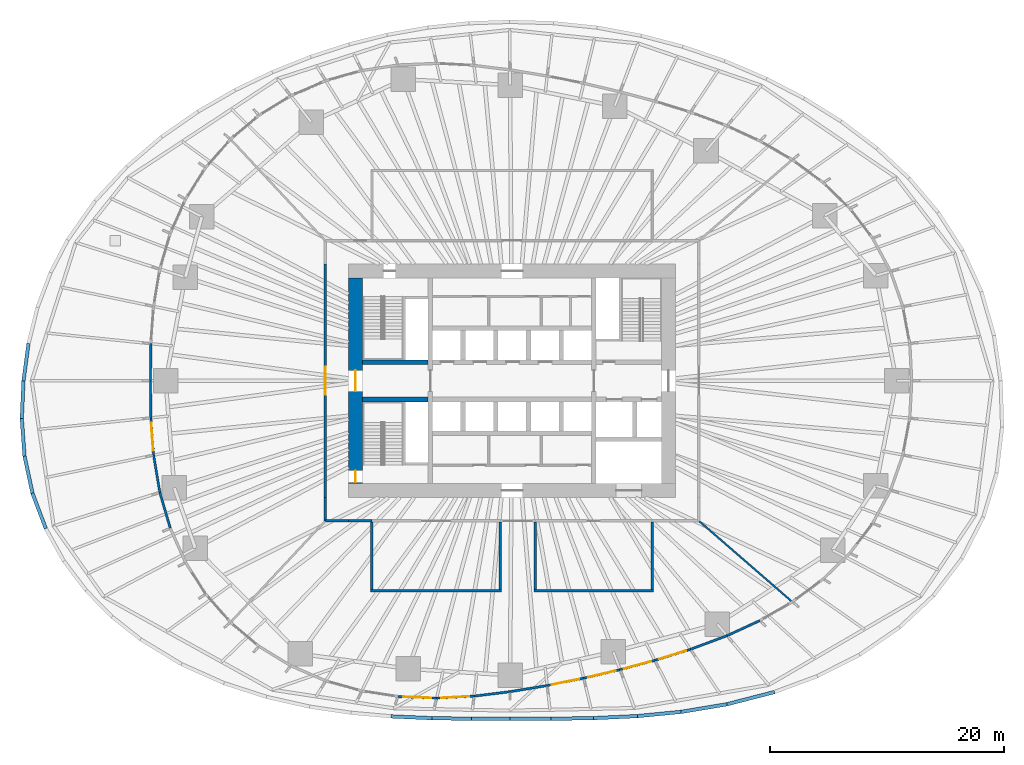
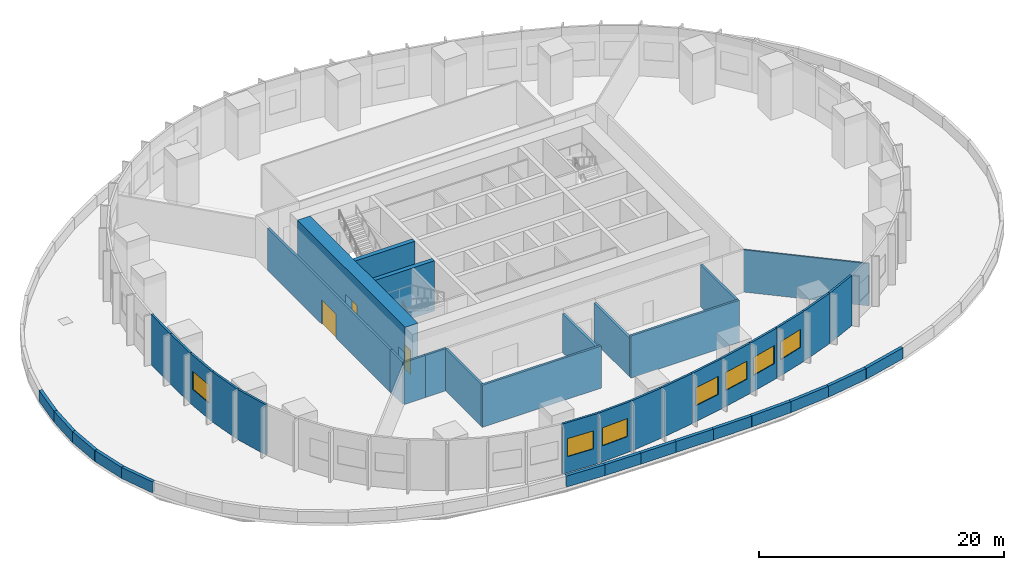
# One storey, part 6 of 11: 43 walls, 7 windows, 3 doors, 10 openings.
"""IFC4 building model written with IfcOpenShell, lengths in metres."""

from ifc_helpers import new_model, si_unit, direction, frame, frame_2d, origin, place, context, subcontext, project, spatial, rectangle, extrude, material, layer, layer_set, type_object, element, fill, save


model = new_model("IFC4")

# Units and contexts
model_context = context("Model", 3, precision=1e-05, world=origin(), true_north=direction((0.0, 1.0)))
body_context = subcontext(model_context, "Body", "Model", "MODEL_VIEW")
ifc_project = project(units=[si_unit("LENGTHUNIT", "METRE"), si_unit("AREAUNIT", "SQUARE_METRE"), si_unit("VOLUMEUNIT", "CUBIC_METRE"), si_unit("PLANEANGLEUNIT", "RADIAN"), si_unit("MASSUNIT", "GRAM", prefix="KILO")], contexts=[model_context])

# Site, building, storey
site_placement = place(None, origin())
site = spatial("IfcSite", under=ifc_project, at=site_placement, CompositionType="ELEMENT")
building_placement = place(site_placement, origin())
building = spatial("IfcBuilding", under=site, at=building_placement, Name="Ghaith Harvest Tower", CompositionType="ELEMENT")
storey_placement = place(building_placement, frame((0.0, 0.0, 15.0)))
storey = spatial("IfcBuildingStorey", under=building, at=storey_placement, Name="L03", CompositionType="ELEMENT", Elevation=15.0)

# Walls
ifc_material_1 = material(Name="Concrete blockwork, 1-hour", Category="masonry")
ifc_layer_1 = layer(ifc_material_1, 0.215087890625)
ifc_layer_set_1 = layer_set([ifc_layer_1], Name="BLOCKWORK WALL 215")
wall_type_1 = type_object("IfcWallType", Name="BLOCKWORK WALL 215", PredefinedType="PARTITIONING", material=ifc_layer_set_1)
for number, where, z_axis, x_axis, name in (
    (1, (-16.0, -12.0, 0.0), (0.0, 0.0, 1.0), (1.0, 0.0, 0.0), "Plant room wall L03"),
    (2, (-14.0, -12.0, 0.0), (0.0, 0.0, 1.0), (1.0, 0.0, 0.0), "Plant room wall L03"),
):
    element("IfcWall", number, at=place(storey_placement, frame(where, z_axis=z_axis, x_axis=x_axis)), inside=storey, type_object=wall_type_1, Name=name, PredefinedType="PARTITIONING", context=body_context, shape_type="SweptSolid", body=[
        extrude(rectangle(XDim=2.0, YDim=0.215087890625, at=frame_2d((1.0, 0.0))), origin(), (0.0, 0.0, 1.0), 4.199951171875),
    ])

# Wall, opening, door
wall_1_placement = place(storey_placement, frame((-16.0, 10.0, 0.0), z_axis=(0.0, 0.0, 1.0), x_axis=(0.0, -1.0, 0.0)))
wall_1 = element("IfcWall", 3, at=wall_1_placement, inside=storey, type_object=wall_type_1, Name="Plant room wall L03", PredefinedType="PARTITIONING", context=body_context, shape_type="SweptSolid", body=[
    extrude(rectangle(XDim=20.0, YDim=0.215087890625, at=frame_2d((10.0, 0.0))), origin(), (0.0, 0.0, 1.0), 4.199951171875),
])
opening_1_placement = place(wall_1_placement, frame((8.800048828125, 0.0, 0.0)))
opening_1 = element("IfcOpeningElement", 4, at=opening_1_placement, cuts=wall_1, Name="Opening 03-030", PredefinedType="OPENING", context=body_context, shape_type="SweptSolid", body=[
    extrude(rectangle(XDim=2.39990234375, YDim=2.39990234375, at=frame_2d((1.199951171875, 1.199951171875))), frame((0.0, 0.11767578125, 0.0), z_axis=(0.0, -1.0, 0.0), x_axis=(1.0, 0.0, 0.0)), (0.0, 0.0, 1.0), 0.235107421875),
])
ifc_material_2 = material(Name="Timber door", Category="wood")
door_type_1 = type_object("IfcDoorType", Name="D10 PLANT PAIR 2400x2400", OperationType="DOUBLE_DOOR_SINGLE_SWING", PredefinedType="DOOR", material=ifc_material_2)
door_1_placement = place(opening_1_placement, origin())
door_1 = element("IfcDoor", 5, at=door_1_placement, inside=storey, type_object=door_type_1, Name="Mechanical plant room west door", OperationType="DOUBLE_DOOR_SINGLE_SWING", OverallHeight=2.39990234375, OverallWidth=2.39990234375, PredefinedType="DOOR", context=body_context, shape_type="SweptSolid", body=[
    extrude(rectangle(XDim=2.39990234375, YDim=2.39990234375, at=frame_2d((1.199951171875, 1.199951171875))), frame((0.0, 0.02490234375, 0.0), z_axis=(0.0, -1.0, 0.0), x_axis=(1.0, 0.0, 0.0)), (0.0, 0.0, 1.0), 0.050048828125),
])
fill(opening_1, door_1)

# Walls
wall_2_placement = place(storey_placement, frame((-16.0, -10.0, 0.0), z_axis=(0.0, 0.0, 1.0), x_axis=(0.0, -1.0, 0.0)))
element("IfcWall", 6, at=wall_2_placement, inside=storey, type_object=wall_type_1, Name="Plant room wall L03", PredefinedType="PARTITIONING", context=body_context, shape_type="SweptSolid", body=[
    extrude(rectangle(XDim=2.0, YDim=0.215087890625, at=frame_2d((1.0, 0.0))), origin(), (0.0, 0.0, 1.0), 4.199951171875),
])
wall_3_placement = place(storey_placement, frame((-12.107421875, -18.0, 0.0), z_axis=(0.0, 0.0, 1.0), x_axis=(1.0, 0.0, 0.0)))
element("IfcWall", 7, at=wall_3_placement, inside=storey, type_object=wall_type_1, Name="Partition L03-02", PredefinedType="PARTITIONING", context=body_context, shape_type="SweptSolid", body=[
    extrude(rectangle(XDim=11.21484375, YDim=0.215087890625, at=frame_2d((5.607421875, 0.0))), origin(), (0.0, 0.0, 1.0), 4.199951171875),
])
wall_4_placement = place(storey_placement, frame((-12.0, -17.892578125, 0.0), z_axis=(0.0, 0.0, 1.0), x_axis=(0.0, 1.0, 0.0)))
element("IfcWall", 8, at=wall_4_placement, inside=storey, type_object=wall_type_1, Name="Partition L03-02", PredefinedType="PARTITIONING", context=body_context, shape_type="SweptSolid", body=[
    extrude(rectangle(XDim=5.78515625, YDim=0.215087890625, at=frame_2d((2.892578125, 0.0))), origin(), (0.0, 0.0, 1.0), 4.199951171875),
])
wall_5_placement = place(storey_placement, frame((1.892578125, -18.0, 0.0), z_axis=(0.0, 0.0, 1.0), x_axis=(1.0, 0.0, 0.0)))
element("IfcWall", 9, at=wall_5_placement, inside=storey, type_object=wall_type_1, Name="Partition L03-03", PredefinedType="PARTITIONING", context=body_context, shape_type="SweptSolid", body=[
    extrude(rectangle(XDim=10.21484375, YDim=0.215087890625, at=frame_2d((5.107421875, 0.0))), origin(), (0.0, 0.0, 1.0), 4.199951171875),
])
wall_6_placement = place(storey_placement, frame((12.0, -17.892578125, 0.0), z_axis=(0.0, 0.0, 1.0), x_axis=(0.0, 1.0, 0.0)))
element("IfcWall", 10, at=wall_6_placement, inside=storey, type_object=wall_type_1, Name="Partition L03-03", PredefinedType="PARTITIONING", context=body_context, shape_type="SweptSolid", body=[
    extrude(rectangle(XDim=5.78515625, YDim=0.215087890625, at=frame_2d((2.892578125, 0.0))), origin(), (0.0, 0.0, 1.0), 4.199951171875),
])
ifc_material_3 = material(Name="Concrete blockwork, 1-hour", Category="masonry")
ifc_layer_2 = layer(ifc_material_3, 0.215087890625)
ifc_layer_set_2 = layer_set([ifc_layer_2], Name="BLOCKWORK WALL 215H")
wall_type_2 = type_object("IfcWallType", Name="BLOCKWORK WALL 215H", PredefinedType="PARTITIONING", material=ifc_layer_set_2)
for number, where, z_axis, x_axis, name in (
    (11, (-1.0, -17.892578125, 0.0), (0.0, 0.0, 1.0), (0.0, 1.0, 0.0), "Partition L03-02"),
    (12, (2.0, -17.892578125, 0.0), (0.0, 0.0, 1.0), (0.0, 1.0, 0.0), "Partition L03-03"),
):
    element("IfcWall", number, at=place(storey_placement, frame(where, z_axis=z_axis, x_axis=x_axis)), inside=storey, type_object=wall_type_2, Name=name, PredefinedType="PARTITIONING", context=body_context, shape_type="SweptSolid", body=[
        extrude(rectangle(XDim=5.78515625, YDim=0.215087890625, at=frame_2d((2.892578125, 0.0))), origin(), (0.0, 0.0, 1.0), 3.873046875),
    ])

# Wall, openings, doors
ifc_material_4 = material(Name="Concrete C70/85", Category="concrete")
ifc_layer_3 = layer(ifc_material_4, 1.199951171875)
ifc_layer_set_3 = layer_set([ifc_layer_3], Name="CORE WALL CW1200")
wall_type_3 = type_object("IfcWallType", Name="CORE WALL CW1200", PredefinedType="SHEAR", material=ifc_layer_set_3)
wall_7_placement = place(storey_placement, frame((-13.39990234375, 8.800048828125, 0.0), z_axis=(0.0, 0.0, 1.0), x_axis=(0.0, -1.0, 0.0)))
wall_7 = element("IfcWall", 13, at=wall_7_placement, inside=storey, type_object=wall_type_3, Name="Core wall W L03", PredefinedType="SHEAR", context=body_context, shape_type="SweptSolid", body=[
    extrude(rectangle(XDim=17.60009765625, YDim=1.199951171875, at=frame_2d((8.800048828125, 0.0))), origin(), (0.0, 0.0, 1.0), 5.0),
])
opening_2_placement = place(wall_7_placement, frame((7.89990234375, 0.0, 0.0)))
opening_2 = element("IfcOpeningElement", 14, at=opening_2_placement, cuts=wall_7, Name="Opening 03-001", PredefinedType="OPENING", context=body_context, shape_type="SweptSolid", body=[
    extrude(rectangle(XDim=1.800048828125, YDim=2.39990234375, at=frame_2d((0.89990234375, 1.199951171875))), frame((0.0, 0.60986328125, 0.0), z_axis=(0.0, -1.0, 0.0), x_axis=(1.0, 0.0, 0.0)), (0.0, 0.0, 1.0), 1.219970703125),
])
opening_3_placement = place(wall_7_placement, frame((16.5, 0.0, 0.0)))
opening_3 = element("IfcOpeningElement", 15, at=opening_3_placement, cuts=wall_7, Name="Opening 03-006", PredefinedType="OPENING", context=body_context, shape_type="SweptSolid", body=[
    extrude(rectangle(XDim=1.0, YDim=2.39990234375, at=frame_2d((0.5, 1.199951171875))), frame((0.0, 0.60986328125, 0.0), z_axis=(0.0, -1.0, 0.0), x_axis=(1.0, 0.0, 0.0)), (0.0, 0.0, 1.0), 1.219970703125),
])
ifc_material_5 = material(Name="Steel fire door", Category="steel")
door_type_2 = type_object("IfcDoorType", Name="D3 FD90 1000x2400", OperationType="SINGLE_SWING_LEFT", PredefinedType="DOOR", material=ifc_material_5)
door_2_placement = place(opening_3_placement, origin())
door_2 = element("IfcDoor", 16, at=door_2_placement, inside=storey, type_object=door_type_2, Name="Stair ST3 door", OperationType="SINGLE_SWING_RIGHT", OverallHeight=2.39990234375, OverallWidth=1.0, PredefinedType="DOOR", context=body_context, shape_type="SweptSolid", body=[
    extrude(rectangle(XDim=1.0, YDim=2.39990234375, at=frame_2d((0.5, 1.199951171875))), frame((0.0, 0.02490234375, 0.0), z_axis=(0.0, -1.0, 0.0), x_axis=(1.0, 0.0, 0.0)), (0.0, 0.0, 1.0), 0.050048828125),
])
fill(opening_3, door_2)
ifc_material_6 = material(Name="Steel fire door", Category="steel")
door_type_3 = type_object("IfcDoorType", Name="D4 FD90 PAIR 1800x2400", OperationType="DOUBLE_DOOR_SINGLE_SWING", PredefinedType="DOOR", material=ifc_material_6)
door_3_placement = place(opening_2_placement, origin())
door_3 = element("IfcDoor", 17, at=door_3_placement, inside=storey, type_object=door_type_3, Name="West lobby doors", OperationType="DOUBLE_DOOR_SINGLE_SWING", OverallHeight=2.39990234375, OverallWidth=1.800048828125, PredefinedType="DOOR", context=body_context, shape_type="SweptSolid", body=[
    extrude(rectangle(XDim=1.800048828125, YDim=2.39990234375, at=frame_2d((0.89990234375, 1.199951171875))), frame((0.0, 0.02490234375, 0.0), z_axis=(0.0, -1.0, 0.0), x_axis=(1.0, 0.0, 0.0)), (0.0, 0.0, 1.0), 0.050048828125),
])
fill(opening_2, door_3)

# Walls
ifc_material_7 = material(Name="Concrete C40/50", Category="concrete")
ifc_layer_4 = layer(ifc_material_7, 0.300048828125)
ifc_layer_set_4 = layer_set([ifc_layer_4], Name="PARAPET 300")
wall_type_4 = type_object("IfcWallType", Name="PARAPET 300", PredefinedType="PARAPET", material=ifc_layer_set_4)
wall_8_placement = place(storey_placement, frame((-41.423095703125, 3.1845703125, 0.0), z_axis=(0.0, 0.0, 1.0), x_axis=(-0.132895316571, -0.991130079673, 0.0)))
element("IfcWall", 18, at=wall_8_placement, inside=storey, type_object=wall_type_4, Name="Parapet 10.4 L03", PredefinedType="PARAPET", context=body_context, shape_type="SweptSolid", body=[
    extrude(rectangle(XDim=3.213134765625, YDim=0.300048828125, at=frame_2d((1.6064453125, 0.0))), origin(), (0.0, 0.0, 1.0), 1.10009765625),
])
wall_9_placement = place(storey_placement, frame((-41.85009765625, 0.0, 0.0), z_axis=(0.0, 0.0, 1.0), x_axis=(-0.04517464493, -0.998979104614, 0.0)))
element("IfcWall", 19, at=wall_9_placement, inside=storey, type_object=wall_type_4, Name="Parapet 11.1 L03", PredefinedType="PARAPET", context=body_context, shape_type="SweptSolid", body=[
    extrude(rectangle(XDim=3.23193359375, YDim=0.300048828125, at=frame_2d((1.615966796875, 0.0))), origin(), (0.0, 0.0, 1.0), 1.10009765625),
])
wall_10_placement = place(storey_placement, frame((-41.99609375, -3.228515625, 0.0), z_axis=(0.0, 0.0, 1.0), x_axis=(0.07288603738, -0.997340275711, 0.0)))
element("IfcWall", 20, at=wall_10_placement, inside=storey, type_object=wall_type_4, Name="Parapet 11.2 L03", PredefinedType="PARAPET", context=body_context, shape_type="SweptSolid", body=[
    extrude(rectangle(XDim=3.239013671875, YDim=0.300048828125, at=frame_2d((1.61962890625, 0.0))), origin(), (0.0, 0.0, 1.0), 1.10009765625),
])
wall_11_placement = place(storey_placement, frame((-41.760009765625, -6.458984375, 0.0), z_axis=(0.0, 0.0, 1.0), x_axis=(0.210182663332, -0.977662133886, 0.0)))
element("IfcWall", 21, at=wall_11_placement, inside=storey, type_object=wall_type_4, Name="Parapet 11.3 L03", PredefinedType="PARAPET", context=body_context, shape_type="SweptSolid", body=[
    extrude(rectangle(XDim=3.239501953125, YDim=0.300048828125, at=frame_2d((1.61962890625, 0.0))), origin(), (0.0, 0.0, 1.0), 1.10009765625),
])
wall_12_placement = place(storey_placement, frame((-41.0791015625, -9.626220703125, 0.0), z_axis=(0.0, 0.0, 1.0), x_axis=(0.351825566808, -0.936065580256, 0.0)))
element("IfcWall", 22, at=wall_12_placement, inside=storey, type_object=wall_type_4, Name="Parapet 11.4 L03", PredefinedType="PARAPET", context=body_context, shape_type="SweptSolid", body=[
    extrude(rectangle(XDim=3.238525390625, YDim=0.300048828125, at=frame_2d((1.619140625, 0.0))), origin(), (0.0, 0.0, 1.0), 1.10009765625),
])
wall_13_placement = place(storey_placement, frame((-10.38232421875, -28.74560546875, 0.0), z_axis=(0.0, 0.0, 1.0), x_axis=(0.999030975063, -0.044012621652, 0.0)))
element("IfcWall", 23, at=wall_13_placement, inside=storey, type_object=wall_type_4, Name="Parapet 15.1 L03", PredefinedType="PARAPET", context=body_context, shape_type="SweptSolid", body=[
    extrude(rectangle(XDim=3.516845703125, YDim=0.300048828125, at=frame_2d((1.75830078125, 0.0))), origin(), (0.0, 0.0, 1.0), 1.10009765625),
])
wall_14_placement = place(storey_placement, frame((-6.868896484375, -28.900390625, 0.0), z_axis=(0.0, 0.0, 1.0), x_axis=(0.999897472472, -0.014319376504, 0.0)))
element("IfcWall", 24, at=wall_14_placement, inside=storey, type_object=wall_type_4, Name="Parapet 15.2 L03", PredefinedType="PARAPET", context=body_context, shape_type="SweptSolid", body=[
    extrude(rectangle(XDim=3.375732421875, YDim=0.300048828125, at=frame_2d((1.68798828125, 0.0))), origin(), (0.0, 0.0, 1.0), 1.10009765625),
])
wall_15_placement = place(storey_placement, frame((-3.493408203125, -28.94873046875, 0.0), z_axis=(0.0, 0.0, 1.0), x_axis=(0.999999901191, -0.000444543188, 0.0)))
element("IfcWall", 25, at=wall_15_placement, inside=storey, type_object=wall_type_4, Name="Parapet 15.3 L03", PredefinedType="PARAPET", context=body_context, shape_type="SweptSolid", body=[
    extrude(rectangle(XDim=3.295166015625, YDim=0.300048828125, at=frame_2d((1.6474609375, 0.0))), origin(), (0.0, 0.0, 1.0), 1.10009765625),
])
wall_16_placement = place(storey_placement, frame((-0.1982421875, -28.9501953125, 0.0), z_axis=(0.0, 0.0, 1.0), x_axis=(0.999999978511, 0.00020731117, 0.0)))
element("IfcWall", 26, at=wall_16_placement, inside=storey, type_object=wall_type_4, Name="Parapet 16.1 L03", PredefinedType="PARAPET", context=body_context, shape_type="SweptSolid", body=[
    extrude(rectangle(XDim=3.532958984375, YDim=0.300048828125, at=frame_2d((1.7666015625, 0.0))), origin(), (0.0, 0.0, 1.0), 1.10009765625),
])
wall_17_placement = place(storey_placement, frame((3.334716796875, -28.949462890625, 0.0), z_axis=(0.0, 0.0, 1.0), x_axis=(0.999898839488, 0.014223599753, 0.0)))
element("IfcWall", 27, at=wall_17_placement, inside=storey, type_object=wall_type_4, Name="Parapet 16.2 L03", PredefinedType="PARAPET", context=body_context, shape_type="SweptSolid", body=[
    extrude(rectangle(XDim=3.621826171875, YDim=0.300048828125, at=frame_2d((1.81103515625, 0.0))), origin(), (0.0, 0.0, 1.0), 1.10009765625),
])
wall_18_placement = place(storey_placement, frame((6.9560546875, -28.89794921875, 0.0), z_axis=(0.0, 0.0, 1.0), x_axis=(0.998921199599, 0.046437452461, 0.0)))
element("IfcWall", 28, at=wall_18_placement, inside=storey, type_object=wall_type_4, Name="Parapet 16.3 L03", PredefinedType="PARAPET", context=body_context, shape_type="SweptSolid", body=[
    extrude(rectangle(XDim=3.785400390625, YDim=0.300048828125, at=frame_2d((1.892578125, 0.0))), origin(), (0.0, 0.0, 1.0), 1.10009765625),
])
wall_19_placement = place(storey_placement, frame((10.7373046875, -28.72216796875, 0.0), z_axis=(0.0, 0.0, 1.0), x_axis=(0.995336140384, 0.096467443445, 0.0)))
element("IfcWall", 29, at=wall_19_placement, inside=storey, type_object=wall_type_4, Name="Parapet 17.1 L03", PredefinedType="PARAPET", context=body_context, shape_type="SweptSolid", body=[
    extrude(rectangle(XDim=3.75830078125, YDim=0.300048828125, at=frame_2d((1.879150390625, 0.0))), origin(), (0.0, 0.0, 1.0), 1.10009765625),
])
wall_20_placement = place(storey_placement, frame((14.47802734375, -28.359619140625, 0.0), z_axis=(0.0, 0.0, 1.0), x_axis=(0.986514691689, 0.163672731635, 0.0)))
element("IfcWall", 30, at=wall_20_placement, inside=storey, type_object=wall_type_4, Name="Parapet 17.2 L03", PredefinedType="PARAPET", context=body_context, shape_type="SweptSolid", body=[
    extrude(rectangle(XDim=3.979736328125, YDim=0.300048828125, at=frame_2d((1.98974609375, 0.0))), origin(), (0.0, 0.0, 1.0), 1.10009765625),
])
wall_21_placement = place(storey_placement, frame((18.404052734375, -27.708251953125, 0.0), z_axis=(0.0, 0.0, 1.0), x_axis=(0.968380912355, 0.249476268586, 0.0)))
element("IfcWall", 31, at=wall_21_placement, inside=storey, type_object=wall_type_4, Name="Parapet 17.3 L03", PredefinedType="PARAPET", context=body_context, shape_type="SweptSolid", body=[
    extrude(rectangle(XDim=4.208984375, YDim=0.300048828125, at=frame_2d((2.1044921875, 0.0))), origin(), (0.0, 0.0, 1.0), 1.10009765625),
])
ifc_material_8 = material(Name="Gypsum board on steel studs", Category="steel")
ifc_layer_5 = layer(ifc_material_8, 0.14990234375)
ifc_layer_set_5 = layer_set([ifc_layer_5], Name="PARTITION 150")
wall_type_5 = type_object("IfcWallType", Name="PARTITION 150", PredefinedType="PARTITIONING", material=ifc_layer_set_5)
wall_22_placement = place(storey_placement, frame((16.01513671875, -12.01318359375, 0.0), z_axis=(0.0, 0.0, 1.0), x_axis=(0.755438460481, -0.655219606259, 0.0)))
element("IfcWall", 32, at=wall_22_placement, inside=storey, type_object=wall_type_5, Name="Partition L03 zone division", PredefinedType="PARTITIONING", context=body_context, shape_type="SweptSolid", body=[
    extrude(rectangle(XDim=10.4482421875, YDim=0.14990234375, at=frame_2d((5.22412109375, 0.0))), origin(), (0.0, 0.0, 1.0), 4.199951171875),
])
ifc_material_9 = material(Name="Steel, black insulated metal cladding panel", Category="steel")
ifc_layer_6 = layer(ifc_material_9, 0.199951171875)
ifc_layer_set_6 = layer_set([ifc_layer_6], Name="PLANT ENCLOSURE WALL 200")
wall_type_6 = type_object("IfcWallType", Name="PLANT ENCLOSURE WALL 200", PredefinedType="SOLIDWALL", material=ifc_layer_set_6)
for number, where, z_axis, x_axis, name in (
    (33, (-30.9365234375, 3.176025390625, 0.0), (0.0, 0.0, 1.0), (-0.012144542076, -0.99992625233, 0.0), "Plant enclosure wall 10.3 L03"),
    (34, (-30.97509765625, 0.0, 0.0), (0.0, 0.0, 1.0), (0.012144542076, -0.99992625233, 0.0), "Plant enclosure wall 11.1 L03"),
):
    element("IfcWall", number, at=place(storey_placement, frame(where, z_axis=z_axis, x_axis=x_axis)), inside=storey, type_object=wall_type_6, Name=name, PredefinedType="SOLIDWALL", context=body_context, shape_type="SweptSolid", body=[
        extrude(rectangle(XDim=3.17626953125, YDim=0.199951171875, at=frame_2d((1.588134765625, 0.0))), origin(), (0.0, 0.0, 1.0), 5.0),
    ])

# Wall, opening, window
wall_23_placement = place(storey_placement, frame((-30.9365234375, -3.176025390625, 0.0), z_axis=(0.0, 0.0, 1.0), x_axis=(0.072395112293, -0.997376031252, 0.0)))
wall_23 = element("IfcWall", 35, at=wall_23_placement, inside=storey, type_object=wall_type_6, Name="Plant enclosure wall 11.2 L03", PredefinedType="SOLIDWALL", context=body_context, shape_type="SweptSolid", body=[
    extrude(rectangle(XDim=3.20361328125, YDim=0.199951171875, at=frame_2d((1.601806640625, 0.0))), origin(), (0.0, 0.0, 1.0), 5.0),
])
opening_4_placement = place(wall_23_placement, frame((0.40185546875, 0.0, 1.60009765625)))
opening_4 = element("IfcOpeningElement", 36, at=opening_4_placement, cuts=wall_23, Name="Opening LV1", PredefinedType="OPENING", context=body_context, shape_type="SweptSolid", body=[
    extrude(rectangle(XDim=2.39990234375, YDim=1.800048828125, at=frame_2d((1.199951171875, 0.89990234375))), frame((0.0, 0.10986328125, 0.0), z_axis=(0.0, -1.0, 0.0), x_axis=(1.0, 0.0, 0.0)), (0.0, 0.0, 1.0), 0.219970703125),
])
ifc_material_10 = material(Name="Aluminium louvre, black", Category="aluminium")
window_type = type_object("IfcWindowType", Name="LOUVRE L1 2400x1800", PartitioningType="SINGLE_PANEL", PredefinedType="WINDOW", material=ifc_material_10)
window_1_placement = place(opening_4_placement, origin())
window_1 = element("IfcWindow", 37, at=window_1_placement, inside=storey, type_object=window_type, Name="Plant louvre 11.2 L03", OverallHeight=1.800048828125, OverallWidth=2.39990234375, PartitioningType="SINGLE_PANEL", PredefinedType="WINDOW", context=body_context, shape_type="SweptSolid", body=[
    extrude(rectangle(XDim=2.39990234375, YDim=1.800048828125, at=frame_2d((1.199951171875, 0.89990234375))), frame((0.0, 0.030029296875, 0.0), z_axis=(0.0, -1.0, 0.0), x_axis=(1.0, 0.0, 0.0)), (0.0, 0.0, 1.0), 0.06005859375),
])
fill(opening_4, window_1)

# Walls
wall_24_placement = place(storey_placement, frame((-30.70458984375, -6.371337890625, 0.0), z_axis=(0.0, 0.0, 1.0), x_axis=(0.165524941824, -0.986205604138, 0.0)))
element("IfcWall", 38, at=wall_24_placement, inside=storey, type_object=wall_type_6, Name="Plant enclosure wall 11.3 L03", PredefinedType="SOLIDWALL", context=body_context, shape_type="SweptSolid", body=[
    extrude(rectangle(XDim=3.234619140625, YDim=0.199951171875, at=frame_2d((1.6171875, 0.0))), origin(), (0.0, 0.0, 1.0), 5.0),
])
wall_25_placement = place(storey_placement, frame((-30.169189453125, -9.561279296875, 0.0), z_axis=(0.0, 0.0, 1.0), x_axis=(0.280208384057, -0.959939196774, 0.0)))
element("IfcWall", 39, at=wall_25_placement, inside=storey, type_object=wall_type_6, Name="Plant enclosure wall 12.1 L03", PredefinedType="SOLIDWALL", context=body_context, shape_type="SweptSolid", body=[
    extrude(rectangle(XDim=3.194091796875, YDim=0.199951171875, at=frame_2d((1.59716796875, 0.0))), origin(), (0.0, 0.0, 1.0), 5.0),
])

# Wall, opening, window
wall_26_placement = place(storey_placement, frame((-9.767578125, -27.0439453125, 0.0), z_axis=(0.0, 0.0, 1.0), x_axis=(0.999125000508, -0.041823837231, 0.0)))
wall_26 = element("IfcWall", 40, at=wall_26_placement, inside=storey, type_object=wall_type_6, Name="Plant enclosure wall 15.1 L03", PredefinedType="SOLIDWALL", context=body_context, shape_type="SweptSolid", body=[
    extrude(rectangle(XDim=3.309814453125, YDim=0.199951171875, at=frame_2d((1.65478515625, 0.0))), origin(), (0.0, 0.0, 1.0), 5.0),
])
opening_5_placement = place(wall_26_placement, frame((0.455078125, 0.0, 1.60009765625)))
opening_5 = element("IfcOpeningElement", 41, at=opening_5_placement, cuts=wall_26, Name="Opening LV1", PredefinedType="OPENING", context=body_context, shape_type="SweptSolid", body=[
    extrude(rectangle(XDim=2.39990234375, YDim=1.800048828125, at=frame_2d((1.199951171875, 0.89990234375))), frame((0.0, 0.10986328125, 0.0), z_axis=(0.0, -1.0, 0.0), x_axis=(1.0, 0.0, 0.0)), (0.0, 0.0, 1.0), 0.219970703125),
])
window_2_placement = place(opening_5_placement, origin())
window_2 = element("IfcWindow", 42, at=window_2_placement, inside=storey, type_object=window_type, Name="Plant louvre 15.1 L03", OverallHeight=1.800048828125, OverallWidth=2.39990234375, PartitioningType="SINGLE_PANEL", PredefinedType="WINDOW", context=body_context, shape_type="SweptSolid", body=[
    extrude(rectangle(XDim=2.39990234375, YDim=1.800048828125, at=frame_2d((1.199951171875, 0.89990234375))), frame((0.0, 0.030029296875, 0.0), z_axis=(0.0, -1.0, 0.0), x_axis=(1.0, 0.0, 0.0)), (0.0, 0.0, 1.0), 0.06005859375),
])
fill(opening_5, window_2)

wall_27_placement = place(storey_placement, frame((-6.460693359375, -27.182373046875, 0.0), z_axis=(0.0, 0.0, 1.0), x_axis=(0.998553566531, 0.053765925715, 0.0)))
wall_27 = element("IfcWall", 43, at=wall_27_placement, inside=storey, type_object=wall_type_6, Name="Plant enclosure wall 15.2 L03", PredefinedType="SOLIDWALL", context=body_context, shape_type="SweptSolid", body=[
    extrude(rectangle(XDim=3.205810546875, YDim=0.199951171875, at=frame_2d((1.60302734375, 0.0))), origin(), (0.0, 0.0, 1.0), 5.0),
])
opening_6_placement = place(wall_27_placement, frame((0.40283203125, 0.0, 1.60009765625)))
opening_6 = element("IfcOpeningElement", 44, at=opening_6_placement, cuts=wall_27, Name="Opening LV1", PredefinedType="OPENING", context=body_context, shape_type="SweptSolid", body=[
    extrude(rectangle(XDim=2.39990234375, YDim=1.800048828125, at=frame_2d((1.199951171875, 0.89990234375))), frame((0.0, 0.10986328125, 0.0), z_axis=(0.0, -1.0, 0.0), x_axis=(1.0, 0.0, 0.0)), (0.0, 0.0, 1.0), 0.219970703125),
])
window_3_placement = place(opening_6_placement, origin())
window_3 = element("IfcWindow", 45, at=window_3_placement, inside=storey, type_object=window_type, Name="Plant louvre 15.2 L03", OverallHeight=1.800048828125, OverallWidth=2.39990234375, PartitioningType="SINGLE_PANEL", PredefinedType="WINDOW", context=body_context, shape_type="SweptSolid", body=[
    extrude(rectangle(XDim=2.39990234375, YDim=1.800048828125, at=frame_2d((1.199951171875, 0.89990234375))), frame((0.0, 0.030029296875, 0.0), z_axis=(0.0, -1.0, 0.0), x_axis=(1.0, 0.0, 0.0)), (0.0, 0.0, 1.0), 0.06005859375),
])
fill(opening_6, window_3)

# Walls
wall_28_placement = place(storey_placement, frame((-3.259521484375, -27.010009765625, 0.0), z_axis=(0.0, 0.0, 1.0), x_axis=(0.992351582774, 0.123443655834, 0.0)))
element("IfcWall", 46, at=wall_28_placement, inside=storey, type_object=wall_type_6, Name="Plant enclosure wall 15.3 L03", PredefinedType="SOLIDWALL", context=body_context, shape_type="SweptSolid", body=[
    extrude(rectangle(XDim=3.10107421875, YDim=0.199951171875, at=frame_2d((1.550537109375, 0.0))), origin(), (0.0, 0.0, 1.0), 5.0),
])
wall_29_placement = place(storey_placement, frame((-0.18212890625, -26.627197265625, 0.0), z_axis=(0.0, 0.0, 1.0), x_axis=(0.986783142393, 0.162046381904, 0.0)))
element("IfcWall", 47, at=wall_29_placement, inside=storey, type_object=wall_type_6, Name="Plant enclosure wall 16.1 L03", PredefinedType="SOLIDWALL", context=body_context, shape_type="SweptSolid", body=[
    extrude(rectangle(XDim=3.231689453125, YDim=0.199951171875, at=frame_2d((1.61572265625, 0.0))), origin(), (0.0, 0.0, 1.0), 5.0),
])

# Wall, opening, window
wall_30_placement = place(storey_placement, frame((3.0068359375, -26.103515625, 0.0), z_axis=(0.0, 0.0, 1.0), x_axis=(0.980424252134, 0.196896637419, 0.0)))
wall_30 = element("IfcWall", 48, at=wall_30_placement, inside=storey, type_object=wall_type_6, Name="Plant enclosure wall 16.2 L03", PredefinedType="SOLIDWALL", context=body_context, shape_type="SweptSolid", body=[
    extrude(rectangle(XDim=3.18798828125, YDim=0.199951171875, at=frame_2d((1.593994140625, 0.0))), origin(), (0.0, 0.0, 1.0), 5.0),
])
opening_7_placement = place(wall_30_placement, frame((0.393798828125, 0.0, 1.60009765625)))
opening_7 = element("IfcOpeningElement", 49, at=opening_7_placement, cuts=wall_30, Name="Opening LV1", PredefinedType="OPENING", context=body_context, shape_type="SweptSolid", body=[
    extrude(rectangle(XDim=2.39990234375, YDim=1.800048828125, at=frame_2d((1.199951171875, 0.89990234375))), frame((0.0, 0.10986328125, 0.0), z_axis=(0.0, -1.0, 0.0), x_axis=(1.0, 0.0, 0.0)), (0.0, 0.0, 1.0), 0.219970703125),
])
window_4_placement = place(opening_7_placement, origin())
window_4 = element("IfcWindow", 50, at=window_4_placement, inside=storey, type_object=window_type, Name="Plant louvre 16.2 L03", OverallHeight=1.800048828125, OverallWidth=2.39990234375, PartitioningType="SINGLE_PANEL", PredefinedType="WINDOW", context=body_context, shape_type="SweptSolid", body=[
    extrude(rectangle(XDim=2.39990234375, YDim=1.800048828125, at=frame_2d((1.199951171875, 0.89990234375))), frame((0.0, 0.030029296875, 0.0), z_axis=(0.0, -1.0, 0.0), x_axis=(1.0, 0.0, 0.0)), (0.0, 0.0, 1.0), 0.06005859375),
])
fill(opening_7, window_4)

wall_31_placement = place(storey_placement, frame((6.13232421875, -25.475830078125, 0.0), z_axis=(0.0, 0.0, 1.0), x_axis=(0.973572895891, 0.228376479493, 0.0)))
wall_31 = element("IfcWall", 51, at=wall_31_placement, inside=storey, type_object=wall_type_6, Name="Plant enclosure wall 16.3 L03", PredefinedType="SOLIDWALL", context=body_context, shape_type="SweptSolid", body=[
    extrude(rectangle(XDim=3.202880859375, YDim=0.199951171875, at=frame_2d((1.6015625, 0.0))), origin(), (0.0, 0.0, 1.0), 5.0),
])
opening_8_placement = place(wall_31_placement, frame((0.4013671875, 0.0, 1.60009765625)))
opening_8 = element("IfcOpeningElement", 52, at=opening_8_placement, cuts=wall_31, Name="Opening LV1", PredefinedType="OPENING", context=body_context, shape_type="SweptSolid", body=[
    extrude(rectangle(XDim=2.39990234375, YDim=1.800048828125, at=frame_2d((1.199951171875, 0.89990234375))), frame((0.0, 0.10986328125, 0.0), z_axis=(0.0, -1.0, 0.0), x_axis=(1.0, 0.0, 0.0)), (0.0, 0.0, 1.0), 0.219970703125),
])
window_5_placement = place(opening_8_placement, origin())
window_5 = element("IfcWindow", 53, at=window_5_placement, inside=storey, type_object=window_type, Name="Plant louvre 16.3 L03", OverallHeight=1.800048828125, OverallWidth=2.39990234375, PartitioningType="SINGLE_PANEL", PredefinedType="WINDOW", context=body_context, shape_type="SweptSolid", body=[
    extrude(rectangle(XDim=2.39990234375, YDim=1.800048828125, at=frame_2d((1.199951171875, 0.89990234375))), frame((0.0, 0.030029296875, 0.0), z_axis=(0.0, -1.0, 0.0), x_axis=(1.0, 0.0, 0.0)), (0.0, 0.0, 1.0), 0.06005859375),
])
fill(opening_8, window_5)

wall_32_placement = place(storey_placement, frame((9.25048828125, -24.744384765625, 0.0), z_axis=(0.0, 0.0, 1.0), x_axis=(0.965880088888, 0.25898967912, 0.0)))
wall_32 = element("IfcWall", 54, at=wall_32_placement, inside=storey, type_object=wall_type_6, Name="Plant enclosure wall 17.1 L03", PredefinedType="SOLIDWALL", context=body_context, shape_type="SweptSolid", body=[
    extrude(rectangle(XDim=3.07958984375, YDim=0.199951171875, at=frame_2d((1.539794921875, 0.0))), origin(), (0.0, 0.0, 1.0), 5.0),
])
opening_9_placement = place(wall_32_placement, frame((0.340087890625, 0.0, 1.60009765625)))
opening_9 = element("IfcOpeningElement", 55, at=opening_9_placement, cuts=wall_32, Name="Opening LV1", PredefinedType="OPENING", context=body_context, shape_type="SweptSolid", body=[
    extrude(rectangle(XDim=2.39990234375, YDim=1.800048828125, at=frame_2d((1.199951171875, 0.89990234375))), frame((0.0, 0.10986328125, 0.0), z_axis=(0.0, -1.0, 0.0), x_axis=(1.0, 0.0, 0.0)), (0.0, 0.0, 1.0), 0.219970703125),
])
window_6_placement = place(opening_9_placement, origin())
window_6 = element("IfcWindow", 56, at=window_6_placement, inside=storey, type_object=window_type, Name="Plant louvre 17.1 L03", OverallHeight=1.800048828125, OverallWidth=2.39990234375, PartitioningType="SINGLE_PANEL", PredefinedType="WINDOW", context=body_context, shape_type="SweptSolid", body=[
    extrude(rectangle(XDim=2.39990234375, YDim=1.800048828125, at=frame_2d((1.199951171875, 0.89990234375))), frame((0.0, 0.030029296875, 0.0), z_axis=(0.0, -1.0, 0.0), x_axis=(1.0, 0.0, 0.0)), (0.0, 0.0, 1.0), 0.06005859375),
])
fill(opening_9, window_6)

wall_33_placement = place(storey_placement, frame((12.22509765625, -23.94677734375, 0.0), z_axis=(0.0, 0.0, 1.0), x_axis=(0.955035787584, 0.296490546954, 0.0)))
wall_33 = element("IfcWall", 57, at=wall_33_placement, inside=storey, type_object=wall_type_6, Name="Plant enclosure wall 17.2 L03", PredefinedType="SOLIDWALL", context=body_context, shape_type="SweptSolid", body=[
    extrude(rectangle(XDim=3.19482421875, YDim=0.199951171875, at=frame_2d((1.597412109375, 0.0))), origin(), (0.0, 0.0, 1.0), 5.0),
])
opening_10_placement = place(wall_33_placement, frame((0.3974609375, 0.0, 1.60009765625)))
opening_10 = element("IfcOpeningElement", 58, at=opening_10_placement, cuts=wall_33, Name="Opening LV1", PredefinedType="OPENING", context=body_context, shape_type="SweptSolid", body=[
    extrude(rectangle(XDim=2.39990234375, YDim=1.800048828125, at=frame_2d((1.199951171875, 0.89990234375))), frame((0.0, 0.10986328125, 0.0), z_axis=(0.0, -1.0, 0.0), x_axis=(1.0, 0.0, 0.0)), (0.0, 0.0, 1.0), 0.219970703125),
])
window_7_placement = place(opening_10_placement, origin())
window_7 = element("IfcWindow", 59, at=window_7_placement, inside=storey, type_object=window_type, Name="Plant louvre 17.2 L03", OverallHeight=1.800048828125, OverallWidth=2.39990234375, PartitioningType="SINGLE_PANEL", PredefinedType="WINDOW", context=body_context, shape_type="SweptSolid", body=[
    extrude(rectangle(XDim=2.39990234375, YDim=1.800048828125, at=frame_2d((1.199951171875, 0.89990234375))), frame((0.0, 0.030029296875, 0.0), z_axis=(0.0, -1.0, 0.0), x_axis=(1.0, 0.0, 0.0)), (0.0, 0.0, 1.0), 0.06005859375),
])
fill(opening_10, window_7)

# Walls
wall_34_placement = place(storey_placement, frame((15.2763671875, -22.99951171875, 0.0), z_axis=(0.0, 0.0, 1.0), x_axis=(0.936993572149, 0.349346598312, 0.0)))
element("IfcWall", 60, at=wall_34_placement, inside=storey, type_object=wall_type_6, Name="Plant enclosure wall 17.3 L03", PredefinedType="SOLIDWALL", context=body_context, shape_type="SweptSolid", body=[
    extrude(rectangle(XDim=3.343994140625, YDim=0.199951171875, at=frame_2d((1.671875, 0.0))), origin(), (0.0, 0.0, 1.0), 5.0),
])
wall_35_placement = place(storey_placement, frame((18.40966796875, -21.831298828125, 0.0), z_axis=(0.0, 0.0, 1.0), x_axis=(0.908621015228, 0.417621659743, 0.0)))
element("IfcWall", 61, at=wall_35_placement, inside=storey, type_object=wall_type_6, Name="Plant enclosure wall 18.1 L03", PredefinedType="SOLIDWALL", context=body_context, shape_type="SweptSolid", body=[
    extrude(rectangle(XDim=3.09423828125, YDim=0.199951171875, at=frame_2d((1.547119140625, 0.0))), origin(), (0.0, 0.0, 1.0), 5.0),
])
ifc_material_11 = material(Name="Concrete C70/85", Category="concrete")
ifc_layer_7 = layer(ifc_material_11, 0.39990234375)
ifc_layer_set_7 = layer_set([ifc_layer_7], Name="SHAFT WALL 400")
wall_type_7 = type_object("IfcWallType", Name="SHAFT WALL 400", PredefinedType="SHEAR", material=ifc_layer_set_7)
for number, where, z_axis, x_axis, name in (
    (62, (-12.800048828125, 1.60009765625, 0.0), (0.0, 0.0, 1.0), (1.0, 0.0, 0.0), "Shaft wall WN L03"),
    (63, (-12.800048828125, -1.60009765625, 0.0), (0.0, 0.0, 1.0), (1.0, 0.0, 0.0), "Shaft wall WS L03"),
):
    element("IfcWall", number, at=place(storey_placement, frame(where, z_axis=z_axis, x_axis=x_axis)), inside=storey, type_object=wall_type_7, Name=name, PredefinedType="SHEAR", context=body_context, shape_type="SweptSolid", body=[
        extrude(rectangle(XDim=5.60009765625, YDim=0.39990234375, at=frame_2d((2.800048828125, 0.0))), origin(), (0.0, 0.0, 1.0), 5.0),
    ])

save(model, "model.ifc")
